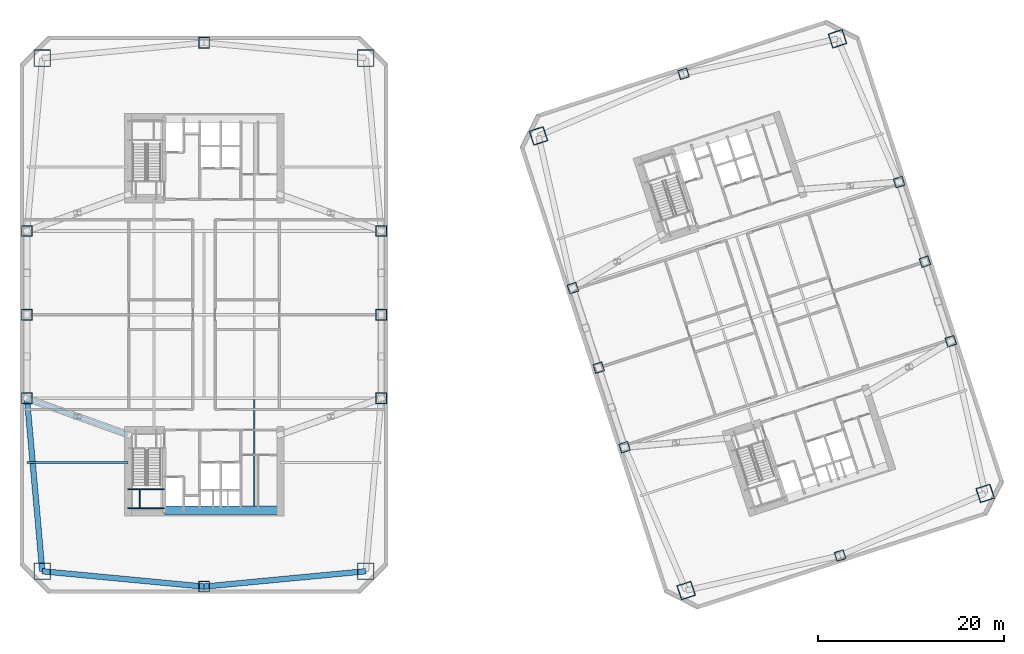
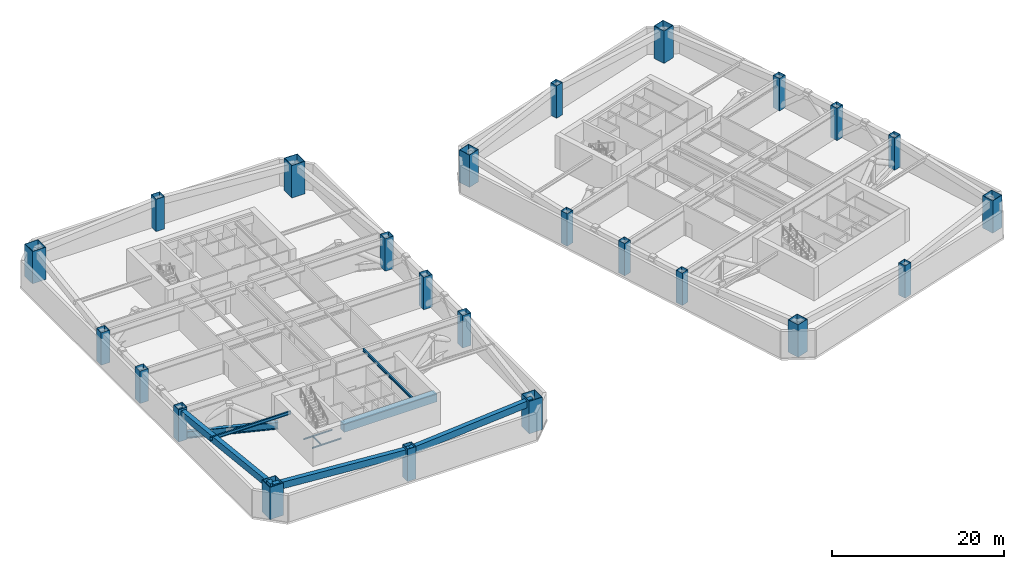
# One storey, part 1 of 16: 24 columns, 10 beams.
"""IFC4 building model written with IfcOpenShell, lengths in metres."""

from ifc_helpers import new_model, si_unit, direction, frame, origin, origin_2d, place, context, subcontext, project, spatial, rectangle, hollow_rectangle, i_section, extrude, material, material_profile, profile_set, type_object, element, save


model = new_model("IFC4")

# Units and contexts
model_context = context("Model", 3, precision=1e-05, world=origin(), true_north=direction((0.0, 1.0)))
body_context = subcontext(model_context, "Body", "Model", "MODEL_VIEW")
ifc_project = project(units=[si_unit("LENGTHUNIT", "METRE"), si_unit("AREAUNIT", "SQUARE_METRE"), si_unit("VOLUMEUNIT", "CUBIC_METRE"), si_unit("PLANEANGLEUNIT", "RADIAN"), si_unit("MASSUNIT", "GRAM", prefix="KILO")], contexts=[model_context])

# Site, building, storey
site_placement = place(None, origin())
site = spatial("IfcSite", under=ifc_project, at=site_placement, CompositionType="ELEMENT")
building_placement = place(site_placement, origin())
building = spatial("IfcBuilding", under=site, at=building_placement, Name="Qiaolan Cultural Towers", CompositionType="ELEMENT")
storey_placement = place(building_placement, frame((0.0, 0.0, 46.0)))
storey = spatial("IfcBuildingStorey", under=building, at=storey_placement, Name="L10", CompositionType="ELEMENT", Elevation=46.0)

# Columns
ifc_material_1 = material(Name="Steel Q355B", Category="steel")
ifc_material_profile_1 = material_profile(ifc_material_1, hollow_rectangle(XDim=1.0, YDim=1.0, WallThickness=0.035888671875, at=origin_2d()), Name="BOX1000x1000x36")
ifc_profile_set_1 = profile_set([ifc_material_profile_1], Name="Steel Q355B")
column_type_1 = type_object("IfcColumnType", Name="COL-BOX1000x1000x36", PredefinedType="COLUMN", material=ifc_profile_set_1)
for number, where, z_axis, x_axis, name in (
    (1, (75.234130859375, 19.739013671875, 0.0), (0.0, 0.0, 1.0), (0.951056516295, 0.309016994375, 0.0), "L10 T2 Perimeter Column PC-W1"),
    (2, (72.453125, 28.298583984375, 0.0), (0.0, 0.0, 1.0), (0.951056516295, 0.309016994375, 0.0), "L10 T2 Perimeter Column PC-W2"),
    (3, (69.671875, 36.858154296875, 0.0), (0.0, 0.0, 1.0), (0.951056516295, 0.309016994375, 0.0), "L10 T2 Perimeter Column PC-W3"),
    (4, (110.328125, 31.141845703125, 0.0), (0.0, 0.0, 1.0), (0.951056516295, 0.309016994375, 0.0), "L10 T2 Perimeter Column PC-E1"),
    (5, (107.546875, 39.701416015625, 0.0), (0.0, 0.0, 1.0), (0.951056516295, 0.309016994375, 0.0), "L10 T2 Perimeter Column PC-E2"),
    (6, (104.765869140625, 48.260986328125, 0.0), (0.0, 0.0, 1.0), (0.951056516295, 0.309016994375, 0.0), "L10 T2 Perimeter Column PC-E3"),
    (7, (98.420654296875, 8.083740234375, 0.0), (0.0, 0.0, 1.0), (0.951056516295, 0.309016994375, 0.0), "L10 T2 Perimeter Column PC-S0"),
    (8, (81.579345703125, 59.916259765625, 0.0), (0.0, 0.0, 1.0), (0.951056516295, 0.309016994375, 0.0), "L10 T2 Perimeter Column PC-N0"),
):
    element("IfcColumn", number, at=place(storey_placement, frame(where, z_axis=z_axis, x_axis=x_axis)), inside=storey, type_object=column_type_1, Name=name, PredefinedType="COLUMN", context=body_context, shape_type="SweptSolid", body=[
        extrude(hollow_rectangle(XDim=1.0, YDim=1.0, WallThickness=0.035888671875, at=origin_2d()), origin(), (0.0, 0.0, 1.0), 4.60107421875),
    ])
ifc_material_2 = material(Name="Steel Q390GJB", Category="steel")
ifc_material_profile_2 = material_profile(ifc_material_2, hollow_rectangle(XDim=1.14990234375, YDim=1.14990234375, WallThickness=0.0400390625, at=origin_2d()), Name="BOX1150x1150x40")
ifc_profile_set_2 = profile_set([ifc_material_profile_2], Name="Steel Q390GJB")
column_type_2 = type_object("IfcColumnType", Name="COL-BOX1150x1150x40", PredefinedType="COLUMN", material=ifc_profile_set_2)
for number, where, z_axis, x_axis, name in (
    (9, (10.949951171875, 25.0, 0.0), (0.0, 0.0, 1.0), (1.0, 0.0, 0.0), "L10 T1 Perimeter Column PC-W1"),
    (10, (10.949951171875, 34.0, 0.0), (0.0, 0.0, 1.0), (1.0, 0.0, 0.0), "L10 T1 Perimeter Column PC-W2"),
    (11, (10.949951171875, 43.0, 0.0), (0.0, 0.0, 1.0), (1.0, 0.0, 0.0), "L10 T1 Perimeter Column PC-W3"),
    (12, (49.050048828125, 25.0, 0.0), (0.0, 0.0, 1.0), (1.0, 0.0, 0.0), "L10 T1 Perimeter Column PC-E1"),
    (13, (49.050048828125, 34.0, 0.0), (0.0, 0.0, 1.0), (1.0, 0.0, 0.0), "L10 T1 Perimeter Column PC-E2"),
    (14, (49.050048828125, 43.0, 0.0), (0.0, 0.0, 1.0), (1.0, 0.0, 0.0), "L10 T1 Perimeter Column PC-E3"),
    (15, (30.0, 4.75, 0.0), (0.0, 0.0, 1.0), (1.0, 0.0, 0.0), "L10 T1 Perimeter Column PC-S0"),
    (16, (30.0, 63.25, 0.0), (0.0, 0.0, 1.0), (1.0, 0.0, 0.0), "L10 T1 Perimeter Column PC-N0"),
):
    element("IfcColumn", number, at=place(storey_placement, frame(where, z_axis=z_axis, x_axis=x_axis)), inside=storey, type_object=column_type_2, Name=name, PredefinedType="COLUMN", context=body_context, shape_type="SweptSolid", body=[
        extrude(hollow_rectangle(XDim=1.14990234375, YDim=1.14990234375, WallThickness=0.0400390625, at=origin_2d()), origin(), (0.0, 0.0, 1.0), 4.60107421875),
    ])
ifc_material_3 = material(Name="Steel Q420GJB", Category="steel")
ifc_material_profile_3 = material_profile(ifc_material_3, hollow_rectangle(XDim=1.60009765625, YDim=1.60009765625, WallThickness=0.054931640625, at=origin_2d()), Name="BOX1600x1600x55")
ifc_profile_set_3 = profile_set([ifc_material_profile_3], Name="Steel Q420GJB")
column_type_3 = type_object("IfcColumnType", Name="COL-BOX1600x1600x55", PredefinedType="COLUMN", material=ifc_profile_set_3)
for number, where, z_axis, x_axis, name in (
    (17, (81.862548828125, 4.32275390625, 0.0), (0.0, 0.0, 1.0), (0.951056516295, 0.309016994375, 0.0), "L10 T2 Perimeter Column MC-SW"),
    (18, (114.027099609375, 14.77392578125, 0.0), (0.0, 0.0, 1.0), (0.951056516295, 0.309016994375, 0.0), "L10 T2 Perimeter Column MC-SE"),
    (19, (98.137451171875, 63.67724609375, 0.0), (0.0, 0.0, 1.0), (0.951056516295, 0.309016994375, 0.0), "L10 T2 Perimeter Column MC-NE"),
    (20, (65.972900390625, 53.22607421875, 0.0), (0.0, 0.0, 1.0), (0.951056516295, 0.309016994375, 0.0), "L10 T2 Perimeter Column MC-NW"),
):
    element("IfcColumn", number, at=place(storey_placement, frame(where, z_axis=z_axis, x_axis=x_axis)), inside=storey, type_object=column_type_3, Name=name, PredefinedType="COLUMN", context=body_context, shape_type="SweptSolid", body=[
        extrude(hollow_rectangle(XDim=1.60009765625, YDim=1.60009765625, WallThickness=0.054931640625, at=origin_2d()), origin(), (0.0, 0.0, 1.0), 4.60107421875),
    ])
ifc_material_4 = material(Name="Steel Q420GJB", Category="steel")
ifc_material_profile_4 = material_profile(ifc_material_4, hollow_rectangle(XDim=1.800048828125, YDim=1.800048828125, WallThickness=0.06005859375, at=origin_2d()), Name="BOX1800x1800x60")
ifc_profile_set_4 = profile_set([ifc_material_profile_4], Name="Steel Q420GJB")
column_type_4 = type_object("IfcColumnType", Name="COL-BOX1800x1800x60", PredefinedType="COLUMN", material=ifc_profile_set_4)
for number, where, z_axis, x_axis, name in (
    (21, (12.60009765625, 6.39990234375, 0.0), (0.0, 0.0, 1.0), (1.0, 0.0, 0.0), "L10 T1 Perimeter Column MC-SW"),
    (22, (47.39990234375, 6.39990234375, 0.0), (0.0, 0.0, 1.0), (1.0, 0.0, 0.0), "L10 T1 Perimeter Column MC-SE"),
    (23, (47.39990234375, 61.60009765625, 0.0), (0.0, 0.0, 1.0), (1.0, 0.0, 0.0), "L10 T1 Perimeter Column MC-NE"),
    (24, (12.60009765625, 61.60009765625, 0.0), (0.0, 0.0, 1.0), (1.0, 0.0, 0.0), "L10 T1 Perimeter Column MC-NW"),
):
    element("IfcColumn", number, at=place(storey_placement, frame(where, z_axis=z_axis, x_axis=x_axis)), inside=storey, type_object=column_type_4, Name=name, PredefinedType="COLUMN", context=body_context, shape_type="SweptSolid", body=[
        extrude(hollow_rectangle(XDim=1.800048828125, YDim=1.800048828125, WallThickness=0.06005859375, at=origin_2d()), origin(), (0.0, 0.0, 1.0), 4.60107421875),
    ])

# Beams
ifc_material_5 = material(Name="Steel Q390GJB", Category="steel")
ifc_material_profile_5 = material_profile(ifc_material_5, i_section(OverallWidth=0.449951171875, OverallDepth=1.0, WebThickness=0.02392578125, FlangeThickness=0.0400390625, at=origin_2d()), Name="BH1000x450x24x40")
ifc_profile_set_5 = profile_set([ifc_material_profile_5], Name="Steel Q390GJB")
beam_type_1 = type_object("IfcBeamType", Name="BM-BH1000x450x24x40", PredefinedType="BEAM", material=ifc_profile_set_5)
beam_1_placement = place(storey_placement, frame((21.800048828125, 21.10009765625, 0.5), z_axis=(-0.941056813551, 0.338248538312, 0.0), x_axis=(-0.338248538312, -0.941056813551, 0.0)))
element("IfcBeam", 25, at=beam_1_placement, inside=storey, type_object=beam_type_1, Name="L10 T1 Outrigger Bottom Chord Girder WS", PredefinedType="BEAM", context=body_context, shape_type="SweptSolid", body=[
    extrude(i_section(OverallWidth=0.449951171875, OverallDepth=1.0, WebThickness=0.02392578125, FlangeThickness=0.0400390625, at=origin_2d()), origin(), (0.0, 0.0, 1.0), 11.52978515625),
])
ifc_material_6 = material(Name="Steel Q355B", Category="steel")
ifc_material_profile_6 = material_profile(ifc_material_6, i_section(OverallWidth=0.199951171875, OverallDepth=0.39990234375, WebThickness=0.008056640625, FlangeThickness=0.012939453125, at=origin_2d()), Name="HN400x200x8x13")
ifc_profile_set_6 = profile_set([ifc_material_profile_6], Name="Steel Q355B")
beam_type_2 = type_object("IfcBeamType", Name="BM-JST-HN400x200x8x13", PredefinedType="JOIST", material=ifc_profile_set_6)
beam_2_placement = place(storey_placement, frame((35.39990234375, 13.39990234375, 4.139892578125), z_axis=(0.0, 1.0, 0.0), x_axis=(-1.0, 0.0, 0.0)))
element("IfcBeam", 26, at=beam_2_placement, inside=storey, type_object=beam_type_2, Name="L10 T1 Secondary Floor Joist U3-1", PredefinedType="JOIST", context=body_context, shape_type="SweptSolid", body=[
    extrude(i_section(OverallWidth=0.199951171875, OverallDepth=0.39990234375, WebThickness=0.008056640625, FlangeThickness=0.012939453125, at=origin_2d()), origin(), (0.0, 0.0, 1.0), 11.4501953125),
])
ifc_material_7 = material(Name="Steel Q355B", Category="steel")
ifc_material_profile_7 = material_profile(ifc_material_7, i_section(OverallWidth=0.199951171875, OverallDepth=0.449951171875, WebThickness=0.009033203125, FlangeThickness=0.013916015625, at=origin_2d()), Name="HN450x200x9x14")
ifc_profile_set_7 = profile_set([ifc_material_profile_7], Name="Steel Q355B")
beam_type_3 = type_object("IfcBeamType", Name="BM-LNT-HN450x200x9x14", PredefinedType="LINTEL", material=ifc_profile_set_7)
beam_3_placement = place(storey_placement, frame((21.800048828125, 18.10009765625, 4.114990234375), z_axis=(-1.0, 0.0, 0.0), x_axis=(0.0, -1.0, 0.0)))
element("IfcBeam", 27, at=beam_3_placement, inside=storey, type_object=beam_type_3, Name="L10 T1 Core Flank Tie Lintel WS", PredefinedType="LINTEL", context=body_context, shape_type="SweptSolid", body=[
    extrude(i_section(OverallWidth=0.199951171875, OverallDepth=0.449951171875, WebThickness=0.009033203125, FlangeThickness=0.013916015625, at=origin_2d()), origin(), (0.0, 0.0, 1.0), 10.85009765625),
])
ifc_material_8 = material(Name="Concrete C50", Category="concrete")
ifc_material_profile_8 = material_profile(ifc_material_8, rectangle(XDim=0.89990234375, YDim=1.10009765625, at=origin_2d()), Name="RC900x1100")
ifc_profile_set_8 = profile_set([ifc_material_profile_8], Name="Concrete C50")
beam_type_4 = type_object("IfcBeamType", Name="BM-RC900x1100", PredefinedType="BEAM", material=ifc_profile_set_8)
beam_4_placement = place(storey_placement, frame((25.719970703125, 12.949951171875, 3.7900390625), z_axis=(1.0, 0.0, 0.0), x_axis=(0.0, 1.0, 0.0)))
element("IfcBeam", 28, at=beam_4_placement, inside=storey, type_object=beam_type_4, Name="L10 T1 Core Header Girder S", PredefinedType="BEAM", context=body_context, shape_type="SweptSolid", body=[
    extrude(rectangle(XDim=0.89990234375, YDim=1.10009765625, at=origin_2d()), origin(), (0.0, 0.0, 1.0), 12.47998046875),
])
ifc_material_9 = material(Name="Concrete C50", Category="concrete")
ifc_material_profile_9 = material_profile(ifc_material_9, rectangle(XDim=0.60009765625, YDim=0.949951171875, at=origin_2d()), Name="RC600x950")
ifc_profile_set_9 = profile_set([ifc_material_profile_9], Name="Concrete C50")
beam_type_5 = type_object("IfcBeamType", Name="BM-SPD-RC600x950", PredefinedType="SPANDREL", material=ifc_profile_set_9)
for number, where, z_axis, x_axis, name in (
    (29, (12.60009765625, 6.39990234375, 3.864990234375), (0.995534437156, -0.094399070104, 0.0), (0.094399070104, 0.995534437156, 0.0), "L10 T1 Perimeter Spandrel Beam 1"),
    (30, (30.0, 4.75, 3.864990234375), (0.995534437156, 0.094399070104, 0.0), (-0.094399070104, 0.995534437156, 0.0), "L10 T1 Perimeter Spandrel Beam 2"),
):
    element("IfcBeam", number, at=place(storey_placement, frame(where, z_axis=z_axis, x_axis=x_axis)), inside=storey, type_object=beam_type_5, Name=name, PredefinedType="SPANDREL", context=body_context, shape_type="SweptSolid", body=[
        extrude(rectangle(XDim=0.60009765625, YDim=0.949951171875, at=origin_2d()), origin(), (0.0, 0.0, 1.0), 17.47802734375),
    ])
beam_5_placement = place(storey_placement, frame((10.949951171875, 25.0, 3.864990234375), z_axis=(0.08837000091, -0.996087718496, 0.0), x_axis=(0.996087718496, 0.08837000091, 0.0)))
element("IfcBeam", 31, at=beam_5_placement, inside=storey, type_object=beam_type_5, Name="L10 T1 Perimeter Spandrel Beam 12", PredefinedType="SPANDREL", context=body_context, shape_type="SweptSolid", body=[
    extrude(rectangle(XDim=0.60009765625, YDim=0.949951171875, at=origin_2d()), origin(), (0.0, 0.0, 1.0), 18.673095703125),
])
ifc_material_10 = material(Name="Steel Q355B", Category="steel")
ifc_material_profile_10 = material_profile(ifc_material_10, i_section(OverallWidth=0.10009765625, OverallDepth=0.199951171875, WebThickness=0.005615234375, FlangeThickness=0.008056640625, at=origin_2d()), Name="HN200x100x5.5x8")
ifc_profile_set_10 = profile_set([ifc_material_profile_10], Name="Steel Q355B")
beam_type_6 = type_object("IfcBeamType", Name="BM-STTRIM-200", PredefinedType="BEAM", material=ifc_profile_set_10)
for number, where, z_axis, x_axis, name in (
    (32, (21.800048828125, 15.211181640625, 2.0), (1.0, 0.0, 0.0), (0.0, 1.0, 0.0), "L10 ST-W1 Stair Landing Support Beam 1-1"),
    (33, (21.800048828125, 13.179931640625, 2.0), (1.0, 0.0, 0.0), (0.0, 1.0, 0.0), "L10 ST-W1 Stair Landing Support Beam 1-2"),
):
    element("IfcBeam", number, at=place(storey_placement, frame(where, z_axis=z_axis, x_axis=x_axis)), inside=storey, type_object=beam_type_6, Name=name, PredefinedType="BEAM", context=body_context, shape_type="SweptSolid", body=[
        extrude(i_section(OverallWidth=0.10009765625, OverallDepth=0.199951171875, WebThickness=0.005615234375, FlangeThickness=0.008056640625, at=origin_2d()), origin(), (0.0, 0.0, 1.0), 3.919921875),
    ])
beam_6_placement = place(storey_placement, frame((23.070068359375, 15.211181640625, 2.0), z_axis=(0.0, -1.0, 0.0), x_axis=(1.0, 0.0, 0.0)))
element("IfcBeam", 34, at=beam_6_placement, inside=storey, type_object=beam_type_6, Name="L10 ST-W1 Stair Landing Trimmer 1", PredefinedType="BEAM", context=body_context, shape_type="SweptSolid", body=[
    extrude(i_section(OverallWidth=0.10009765625, OverallDepth=0.199951171875, WebThickness=0.005615234375, FlangeThickness=0.008056640625, at=origin_2d()), origin(), (0.0, 0.0, 1.0), 2.03125),
])

save(model, "model.ifc")
